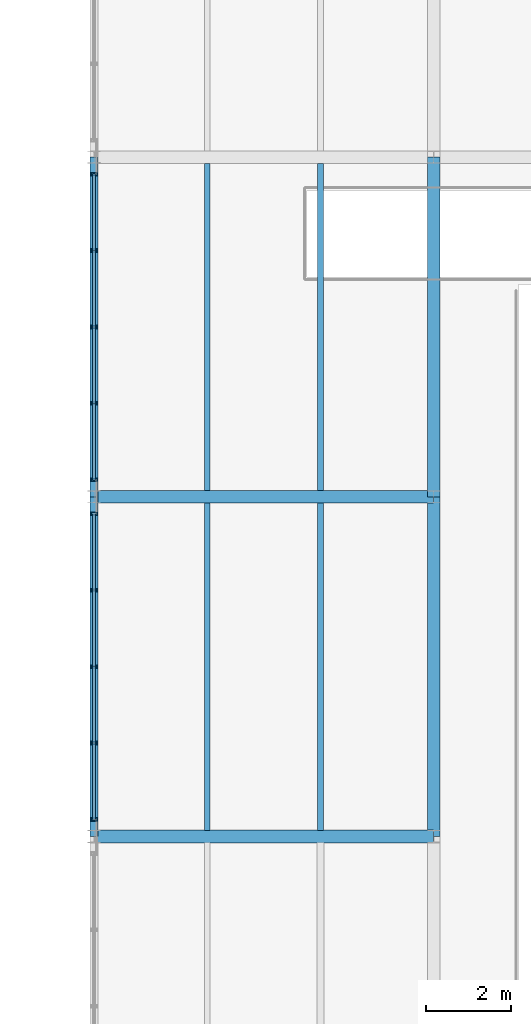
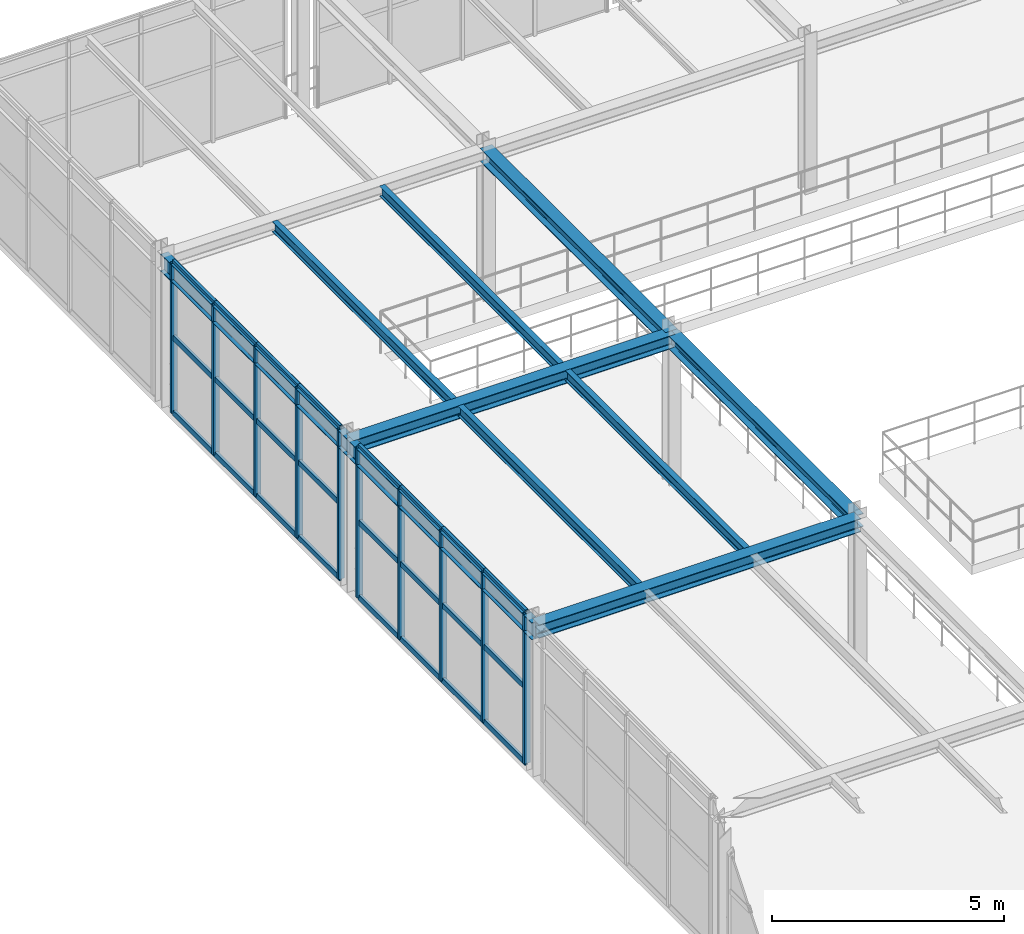
# One storey, part 38 of 124: 34 members, 10 beams, 2 elements without a shape of their own.
"""IFC4 building model written with IfcOpenShell, lengths in metres."""

from ifc_helpers import new_model, si_unit, direction, frame, origin, origin_2d, place, context, subcontext, project, spatial, hollow_rectangle, i_section, extrude, material, material_profile, profile_set, type_object, element, aggregate, save


model = new_model("IFC4")

# Units and contexts
model_context = context("Model", 3, precision=1e-05, world=origin(), true_north=direction((0.0, 1.0)))
body_context = subcontext(model_context, "Body", "Model", "MODEL_VIEW")
ifc_project = project(units=[si_unit("LENGTHUNIT", "METRE"), si_unit("AREAUNIT", "SQUARE_METRE"), si_unit("VOLUMEUNIT", "CUBIC_METRE"), si_unit("PLANEANGLEUNIT", "RADIAN"), si_unit("MASSUNIT", "GRAM", prefix="KILO")], contexts=[model_context])

# Site, building, storey
site_placement = place(None, origin())
site = spatial("IfcSite", under=ifc_project, at=site_placement, CompositionType="ELEMENT")
building_placement = place(site_placement, origin())
building = spatial("IfcBuilding", under=site, at=building_placement, Name="Sundkrona Museum", CompositionType="ELEMENT")
storey_placement = place(building_placement, frame((0.0, 0.0, 17.60009765625)))
storey = spatial("IfcBuildingStorey", under=building, at=storey_placement, Name="L03", CompositionType="ELEMENT", Elevation=17.60009765625)

# Beams
ifc_material_1 = material(Name="Steel S355J2", Category="steel")
ifc_material_profile_1 = material_profile(ifc_material_1, i_section(OverallWidth=0.300048828125, OverallDepth=0.35009765625, WebThickness=0.010009765625, FlangeThickness=0.017578125, FilletRadius=0.027099609375, at=origin_2d()), Name="HEA 360")
ifc_profile_set_1 = profile_set([ifc_material_profile_1], Name="Steel S355J2")
beam_type_1 = type_object("IfcBeamType", Name="B-HEA360", PredefinedType="BEAM", material=ifc_profile_set_1)
for number, where, z_axis, x_axis, name in (
    (1, (80.0, 16.0, 3.764892578125), (1.0, 0.0, 0.0), (0.0, 1.0, 0.0), "L03 Girder X-1430"),
    (2, (80.0, 24.0, 3.764892578125), (1.0, 0.0, 0.0), (0.0, 1.0, 0.0), "L03 Girder X-1438"),
    (3, (88.0, 16.0, 3.764892578125), (0.0, 1.0, 0.0), (-1.0, 0.0, 0.0), "L03 Girder Y-1610"),
    (4, (88.0, 24.0, 3.764892578125), (0.0, 1.0, 0.0), (-1.0, 0.0, 0.0), "L03 Girder Y-1611"),
):
    element("IfcBeam", number, at=place(storey_placement, frame(where, z_axis=z_axis, x_axis=x_axis)), inside=storey, type_object=beam_type_1, Name=name, PredefinedType="BEAM", context=body_context, shape_type="SweptSolid", body=[
        extrude(i_section(OverallWidth=0.300048828125, OverallDepth=0.35009765625, WebThickness=0.010009765625, FlangeThickness=0.017578125, FilletRadius=0.027099609375, at=origin_2d()), origin(), (0.0, 0.0, 1.0), 8.0),
    ])
ifc_material_profile_2 = material_profile(ifc_material_1, i_section(OverallWidth=0.135009765625, OverallDepth=0.27001953125, WebThickness=0.006591796875, FlangeThickness=0.01025390625, FilletRadius=0.014892578125, at=origin_2d()), Name="IPE 270")
ifc_profile_set_2 = profile_set([ifc_material_profile_2], Name="Steel S355J2")
beam_type_2 = type_object("IfcBeamType", Name="J-IPE270", PredefinedType="JOIST", material=ifc_profile_set_2)
for number, where, z_axis, x_axis, name in (
    (5, (82.666748046875, 16.14404296875, 3.804931640625), (0.0, 1.0, 0.0), (-1.0, 0.0, 0.0), "L03 Composite Joist 1046"),
    (6, (85.333251953125, 16.14404296875, 3.804931640625), (0.0, 1.0, 0.0), (-1.0, 0.0, 0.0), "L03 Composite Joist 1047"),
    (7, (82.666748046875, 24.14404296875, 3.804931640625), (0.0, 1.0, 0.0), (-1.0, 0.0, 0.0), "L03 Composite Joist 1048"),
    (8, (85.333251953125, 24.14404296875, 3.804931640625), (0.0, 1.0, 0.0), (-1.0, 0.0, 0.0), "L03 Composite Joist 1049"),
):
    element("IfcBeam", number, at=place(storey_placement, frame(where, z_axis=z_axis, x_axis=x_axis)), inside=storey, type_object=beam_type_2, Name=name, PredefinedType="JOIST", context=body_context, shape_type="SweptSolid", body=[
        extrude(i_section(OverallWidth=0.135009765625, OverallDepth=0.27001953125, WebThickness=0.006591796875, FlangeThickness=0.01025390625, FilletRadius=0.014892578125, at=origin_2d()), origin(), (0.0, 0.0, 1.0), 7.7119140625),
    ])

# Curtain wall, members
ifc_material_2 = material(Name="Unitised Aluminium-Steel and Ceramic-Clad Curtain Walling", Category="steel")
curtain_wall_type = type_object("IfcCurtainWallType", Name="CW-AT-72x38", PredefinedType="NOTDEFINED", material=ifc_material_2)
curtain_wall_1_placement = place(storey_placement, origin())
curtain_wall_1 = element("IfcCurtainWall", 9, at=curtain_wall_1_placement, inside=storey, type_object=curtain_wall_type, Name="L03 Curtain Wall CW-L03-067", PredefinedType="NOTDEFINED")
ifc_material_3 = material(Name="Aluminium EN AW-6060 T66", Category="aluminium")
ifc_material_profile_3 = material_profile(ifc_material_3, hollow_rectangle(XDim=0.074951171875, YDim=0.14990234375, WallThickness=0.00634765625, at=origin_2d()), Name="RHS 150x75x6.3")
ifc_profile_set_3 = profile_set([ifc_material_profile_3], Name="Aluminium EN AW-6060 T66")
member_type_1 = type_object("IfcMemberType", Name="ML-150", PredefinedType="MULLION", material=ifc_profile_set_3)
member_1_placement = place(storey_placement, frame((80.0, 16.39990234375, -0.004150390625), z_axis=(0.0, 0.0, 1.0), x_axis=(0.0, 1.0, 0.0)))
member_1 = element("IfcMember", 10, at=member_1_placement, type_object=member_type_1, Name="CW-L03-067 Mullion 01", PredefinedType="MULLION", context=body_context, shape_type="SweptSolid", body=[
    extrude(hollow_rectangle(XDim=0.074951171875, YDim=0.14990234375, WallThickness=0.00634765625, at=origin_2d()), origin(), (0.0, 0.0, 1.0), 3.947998046875),
])
member_2_placement = place(storey_placement, frame((80.0, 18.199951171875, -0.004150390625), z_axis=(0.0, 0.0, 1.0), x_axis=(0.0, 1.0, 0.0)))
member_2 = element("IfcMember", 11, at=member_2_placement, type_object=member_type_1, Name="CW-L03-067 Mullion 02", PredefinedType="MULLION", context=body_context, shape_type="SweptSolid", body=[
    extrude(hollow_rectangle(XDim=0.074951171875, YDim=0.14990234375, WallThickness=0.00634765625, at=origin_2d()), origin(), (0.0, 0.0, 1.0), 3.947998046875),
])
member_3_placement = place(storey_placement, frame((80.0, 20.0, -0.004150390625), z_axis=(0.0, 0.0, 1.0), x_axis=(0.0, 1.0, 0.0)))
member_3 = element("IfcMember", 12, at=member_3_placement, type_object=member_type_1, Name="CW-L03-067 Mullion 03", PredefinedType="MULLION", context=body_context, shape_type="SweptSolid", body=[
    extrude(hollow_rectangle(XDim=0.074951171875, YDim=0.14990234375, WallThickness=0.00634765625, at=origin_2d()), origin(), (0.0, 0.0, 1.0), 3.947998046875),
])
member_4_placement = place(storey_placement, frame((80.0, 21.800048828125, -0.004150390625), z_axis=(0.0, 0.0, 1.0), x_axis=(0.0, 1.0, 0.0)))
member_4 = element("IfcMember", 13, at=member_4_placement, type_object=member_type_1, Name="CW-L03-067 Mullion 04", PredefinedType="MULLION", context=body_context, shape_type="SweptSolid", body=[
    extrude(hollow_rectangle(XDim=0.074951171875, YDim=0.14990234375, WallThickness=0.00634765625, at=origin_2d()), origin(), (0.0, 0.0, 1.0), 3.947998046875),
])
member_5_placement = place(storey_placement, frame((80.0, 23.60009765625, -0.004150390625), z_axis=(0.0, 0.0, 1.0), x_axis=(0.0, 1.0, 0.0)))
member_5 = element("IfcMember", 14, at=member_5_placement, type_object=member_type_1, Name="CW-L03-067 Mullion 05", PredefinedType="MULLION", context=body_context, shape_type="SweptSolid", body=[
    extrude(hollow_rectangle(XDim=0.074951171875, YDim=0.14990234375, WallThickness=0.00634765625, at=origin_2d()), origin(), (0.0, 0.0, 1.0), 3.947998046875),
])

curtain_wall_2_placement = place(storey_placement, origin())
curtain_wall_2 = element("IfcCurtainWall", 15, at=curtain_wall_2_placement, inside=storey, type_object=curtain_wall_type, Name="L03 Curtain Wall CW-L03-068", PredefinedType="NOTDEFINED")
member_6_placement = place(storey_placement, frame((80.0, 24.39990234375, -0.004150390625), z_axis=(0.0, 0.0, 1.0), x_axis=(0.0, 1.0, 0.0)))
member_6 = element("IfcMember", 16, at=member_6_placement, type_object=member_type_1, Name="CW-L03-068 Mullion 01", PredefinedType="MULLION", context=body_context, shape_type="SweptSolid", body=[
    extrude(hollow_rectangle(XDim=0.074951171875, YDim=0.14990234375, WallThickness=0.00634765625, at=origin_2d()), origin(), (0.0, 0.0, 1.0), 3.947998046875),
])
member_7_placement = place(storey_placement, frame((80.0, 26.199951171875, -0.004150390625), z_axis=(0.0, 0.0, 1.0), x_axis=(0.0, 1.0, 0.0)))
member_7 = element("IfcMember", 17, at=member_7_placement, type_object=member_type_1, Name="CW-L03-068 Mullion 02", PredefinedType="MULLION", context=body_context, shape_type="SweptSolid", body=[
    extrude(hollow_rectangle(XDim=0.074951171875, YDim=0.14990234375, WallThickness=0.00634765625, at=origin_2d()), origin(), (0.0, 0.0, 1.0), 3.947998046875),
])
member_8_placement = place(storey_placement, frame((80.0, 28.0, -0.004150390625), z_axis=(0.0, 0.0, 1.0), x_axis=(0.0, 1.0, 0.0)))
member_8 = element("IfcMember", 18, at=member_8_placement, type_object=member_type_1, Name="CW-L03-068 Mullion 03", PredefinedType="MULLION", context=body_context, shape_type="SweptSolid", body=[
    extrude(hollow_rectangle(XDim=0.074951171875, YDim=0.14990234375, WallThickness=0.00634765625, at=origin_2d()), origin(), (0.0, 0.0, 1.0), 3.947998046875),
])
member_9_placement = place(storey_placement, frame((80.0, 29.800048828125, -0.004150390625), z_axis=(0.0, 0.0, 1.0), x_axis=(0.0, 1.0, 0.0)))
member_9 = element("IfcMember", 19, at=member_9_placement, type_object=member_type_1, Name="CW-L03-068 Mullion 04", PredefinedType="MULLION", context=body_context, shape_type="SweptSolid", body=[
    extrude(hollow_rectangle(XDim=0.074951171875, YDim=0.14990234375, WallThickness=0.00634765625, at=origin_2d()), origin(), (0.0, 0.0, 1.0), 3.947998046875),
])
member_10_placement = place(storey_placement, frame((80.0, 31.60009765625, -0.004150390625), z_axis=(0.0, 0.0, 1.0), x_axis=(0.0, 1.0, 0.0)))
member_10 = element("IfcMember", 20, at=member_10_placement, type_object=member_type_1, Name="CW-L03-068 Mullion 05", PredefinedType="MULLION", context=body_context, shape_type="SweptSolid", body=[
    extrude(hollow_rectangle(XDim=0.074951171875, YDim=0.14990234375, WallThickness=0.00634765625, at=origin_2d()), origin(), (0.0, 0.0, 1.0), 3.947998046875),
])

# Beams
ifc_material_profile_4 = material_profile(ifc_material_1, i_section(OverallWidth=0.18994140625, OverallDepth=0.449951171875, WebThickness=0.009521484375, FlangeThickness=0.0146484375, FilletRadius=0.02099609375, at=origin_2d()), Name="IPE 450")
ifc_profile_set_4 = profile_set([ifc_material_profile_4], Name="Steel S355J2")
beam_type_3 = type_object("IfcBeamType", Name="SP-IPE450", PredefinedType="SPANDREL", material=ifc_profile_set_4)
for number, where, z_axis, x_axis, name in (
    (21, (80.0, 16.0, 3.71484375), (0.0, 1.0, 0.0), (-1.0, 0.0, 0.0), "L03 Girder Y-1600"),
    (22, (80.0, 24.0, 3.71484375), (0.0, 1.0, 0.0), (-1.0, 0.0, 0.0), "L03 Girder Y-1601"),
):
    element("IfcBeam", number, at=place(storey_placement, frame(where, z_axis=z_axis, x_axis=x_axis)), inside=storey, type_object=beam_type_3, Name=name, PredefinedType="SPANDREL", context=body_context, shape_type="SweptSolid", body=[
        extrude(i_section(OverallWidth=0.18994140625, OverallDepth=0.449951171875, WebThickness=0.009521484375, FlangeThickness=0.0146484375, FilletRadius=0.02099609375, at=origin_2d()), origin(), (0.0, 0.0, 1.0), 8.0),
    ])

# Member
ifc_material_profile_5 = material_profile(ifc_material_3, hollow_rectangle(XDim=0.070068359375, YDim=0.139892578125, WallThickness=0.0048828125, at=origin_2d()), Name="RHS 140x70x5.0")
ifc_profile_set_5 = profile_set([ifc_material_profile_5], Name="Aluminium EN AW-6060 T66")
member_type_2 = type_object("IfcMemberType", Name="TR-140", PredefinedType="USERDEFINED", material=ifc_profile_set_5)
member_11_placement = place(storey_placement, frame((80.0, 16.39990234375, -0.004150390625), z_axis=(0.0, 1.0, 0.0), x_axis=(-1.0, 0.0, 0.0)))
member_11 = element("IfcMember", 23, at=member_11_placement, type_object=member_type_2, Name="CW-L03-067 Transom 01", ObjectType="TRANSOM", PredefinedType="USERDEFINED", context=body_context, shape_type="SweptSolid", body=[
    extrude(hollow_rectangle(XDim=0.070068359375, YDim=0.139892578125, WallThickness=0.0048828125, at=origin_2d()), origin(), (0.0, 0.0, 1.0), 1.800048828125),
])

member_12_placement = place(storey_placement, frame((80.0, 16.39990234375, 1.969970703125), z_axis=(0.0, 1.0, 0.0), x_axis=(-1.0, 0.0, 0.0)))
member_12 = element("IfcMember", 24, at=member_12_placement, type_object=member_type_2, Name="CW-L03-067 Transom 02", ObjectType="TRANSOM", PredefinedType="USERDEFINED", context=body_context, shape_type="SweptSolid", body=[
    extrude(hollow_rectangle(XDim=0.070068359375, YDim=0.139892578125, WallThickness=0.0048828125, at=origin_2d()), origin(), (0.0, 0.0, 1.0), 1.800048828125),
])

member_13_placement = place(storey_placement, frame((80.0, 16.39990234375, 3.94384765625), z_axis=(0.0, 1.0, 0.0), x_axis=(-1.0, 0.0, 0.0)))
member_13 = element("IfcMember", 25, at=member_13_placement, type_object=member_type_2, Name="CW-L03-067 Transom 03", ObjectType="TRANSOM", PredefinedType="USERDEFINED", context=body_context, shape_type="SweptSolid", body=[
    extrude(hollow_rectangle(XDim=0.070068359375, YDim=0.139892578125, WallThickness=0.0048828125, at=origin_2d()), origin(), (0.0, 0.0, 1.0), 1.800048828125),
])

member_14_placement = place(storey_placement, frame((80.0, 18.199951171875, -0.004150390625), z_axis=(0.0, 1.0, 0.0), x_axis=(-1.0, 0.0, 0.0)))
member_14 = element("IfcMember", 26, at=member_14_placement, type_object=member_type_2, Name="CW-L03-067 Transom 04", ObjectType="TRANSOM", PredefinedType="USERDEFINED", context=body_context, shape_type="SweptSolid", body=[
    extrude(hollow_rectangle(XDim=0.070068359375, YDim=0.139892578125, WallThickness=0.0048828125, at=origin_2d()), origin(), (0.0, 0.0, 1.0), 1.800048828125),
])

member_15_placement = place(storey_placement, frame((80.0, 18.199951171875, 1.969970703125), z_axis=(0.0, 1.0, 0.0), x_axis=(-1.0, 0.0, 0.0)))
member_15 = element("IfcMember", 27, at=member_15_placement, type_object=member_type_2, Name="CW-L03-067 Transom 05", ObjectType="TRANSOM", PredefinedType="USERDEFINED", context=body_context, shape_type="SweptSolid", body=[
    extrude(hollow_rectangle(XDim=0.070068359375, YDim=0.139892578125, WallThickness=0.0048828125, at=origin_2d()), origin(), (0.0, 0.0, 1.0), 1.800048828125),
])

member_16_placement = place(storey_placement, frame((80.0, 18.199951171875, 3.94384765625), z_axis=(0.0, 1.0, 0.0), x_axis=(-1.0, 0.0, 0.0)))
member_16 = element("IfcMember", 28, at=member_16_placement, type_object=member_type_2, Name="CW-L03-067 Transom 06", ObjectType="TRANSOM", PredefinedType="USERDEFINED", context=body_context, shape_type="SweptSolid", body=[
    extrude(hollow_rectangle(XDim=0.070068359375, YDim=0.139892578125, WallThickness=0.0048828125, at=origin_2d()), origin(), (0.0, 0.0, 1.0), 1.800048828125),
])

member_17_placement = place(storey_placement, frame((80.0, 20.0, -0.004150390625), z_axis=(0.0, 1.0, 0.0), x_axis=(-1.0, 0.0, 0.0)))
member_17 = element("IfcMember", 29, at=member_17_placement, type_object=member_type_2, Name="CW-L03-067 Transom 07", ObjectType="TRANSOM", PredefinedType="USERDEFINED", context=body_context, shape_type="SweptSolid", body=[
    extrude(hollow_rectangle(XDim=0.070068359375, YDim=0.139892578125, WallThickness=0.0048828125, at=origin_2d()), origin(), (0.0, 0.0, 1.0), 1.800048828125),
])

member_18_placement = place(storey_placement, frame((80.0, 20.0, 1.969970703125), z_axis=(0.0, 1.0, 0.0), x_axis=(-1.0, 0.0, 0.0)))
member_18 = element("IfcMember", 30, at=member_18_placement, type_object=member_type_2, Name="CW-L03-067 Transom 08", ObjectType="TRANSOM", PredefinedType="USERDEFINED", context=body_context, shape_type="SweptSolid", body=[
    extrude(hollow_rectangle(XDim=0.070068359375, YDim=0.139892578125, WallThickness=0.0048828125, at=origin_2d()), origin(), (0.0, 0.0, 1.0), 1.800048828125),
])

member_19_placement = place(storey_placement, frame((80.0, 20.0, 3.94384765625), z_axis=(0.0, 1.0, 0.0), x_axis=(-1.0, 0.0, 0.0)))
member_19 = element("IfcMember", 31, at=member_19_placement, type_object=member_type_2, Name="CW-L03-067 Transom 09", ObjectType="TRANSOM", PredefinedType="USERDEFINED", context=body_context, shape_type="SweptSolid", body=[
    extrude(hollow_rectangle(XDim=0.070068359375, YDim=0.139892578125, WallThickness=0.0048828125, at=origin_2d()), origin(), (0.0, 0.0, 1.0), 1.800048828125),
])

member_20_placement = place(storey_placement, frame((80.0, 21.800048828125, -0.004150390625), z_axis=(0.0, 1.0, 0.0), x_axis=(-1.0, 0.0, 0.0)))
member_20 = element("IfcMember", 32, at=member_20_placement, type_object=member_type_2, Name="CW-L03-067 Transom 10", ObjectType="TRANSOM", PredefinedType="USERDEFINED", context=body_context, shape_type="SweptSolid", body=[
    extrude(hollow_rectangle(XDim=0.070068359375, YDim=0.139892578125, WallThickness=0.0048828125, at=origin_2d()), origin(), (0.0, 0.0, 1.0), 1.800048828125),
])

member_21_placement = place(storey_placement, frame((80.0, 21.800048828125, 1.969970703125), z_axis=(0.0, 1.0, 0.0), x_axis=(-1.0, 0.0, 0.0)))
member_21 = element("IfcMember", 33, at=member_21_placement, type_object=member_type_2, Name="CW-L03-067 Transom 11", ObjectType="TRANSOM", PredefinedType="USERDEFINED", context=body_context, shape_type="SweptSolid", body=[
    extrude(hollow_rectangle(XDim=0.070068359375, YDim=0.139892578125, WallThickness=0.0048828125, at=origin_2d()), origin(), (0.0, 0.0, 1.0), 1.800048828125),
])

member_22_placement = place(storey_placement, frame((80.0, 21.800048828125, 3.94384765625), z_axis=(0.0, 1.0, 0.0), x_axis=(-1.0, 0.0, 0.0)))
member_22 = element("IfcMember", 34, at=member_22_placement, type_object=member_type_2, Name="CW-L03-067 Transom 12", ObjectType="TRANSOM", PredefinedType="USERDEFINED", context=body_context, shape_type="SweptSolid", body=[
    extrude(hollow_rectangle(XDim=0.070068359375, YDim=0.139892578125, WallThickness=0.0048828125, at=origin_2d()), origin(), (0.0, 0.0, 1.0), 1.800048828125),
])

aggregate(curtain_wall_1, [member_1, member_2, member_3, member_4, member_5, member_11, member_12, member_13, member_14, member_15, member_16, member_17, member_18, member_19, member_20, member_21, member_22])

member_23_placement = place(storey_placement, frame((80.0, 24.39990234375, -0.004150390625), z_axis=(0.0, 1.0, 0.0), x_axis=(-1.0, 0.0, 0.0)))
member_23 = element("IfcMember", 35, at=member_23_placement, type_object=member_type_2, Name="CW-L03-068 Transom 01", ObjectType="TRANSOM", PredefinedType="USERDEFINED", context=body_context, shape_type="SweptSolid", body=[
    extrude(hollow_rectangle(XDim=0.070068359375, YDim=0.139892578125, WallThickness=0.0048828125, at=origin_2d()), origin(), (0.0, 0.0, 1.0), 1.800048828125),
])

member_24_placement = place(storey_placement, frame((80.0, 24.39990234375, 1.969970703125), z_axis=(0.0, 1.0, 0.0), x_axis=(-1.0, 0.0, 0.0)))
member_24 = element("IfcMember", 36, at=member_24_placement, type_object=member_type_2, Name="CW-L03-068 Transom 02", ObjectType="TRANSOM", PredefinedType="USERDEFINED", context=body_context, shape_type="SweptSolid", body=[
    extrude(hollow_rectangle(XDim=0.070068359375, YDim=0.139892578125, WallThickness=0.0048828125, at=origin_2d()), origin(), (0.0, 0.0, 1.0), 1.800048828125),
])

member_25_placement = place(storey_placement, frame((80.0, 24.39990234375, 3.94384765625), z_axis=(0.0, 1.0, 0.0), x_axis=(-1.0, 0.0, 0.0)))
member_25 = element("IfcMember", 37, at=member_25_placement, type_object=member_type_2, Name="CW-L03-068 Transom 03", ObjectType="TRANSOM", PredefinedType="USERDEFINED", context=body_context, shape_type="SweptSolid", body=[
    extrude(hollow_rectangle(XDim=0.070068359375, YDim=0.139892578125, WallThickness=0.0048828125, at=origin_2d()), origin(), (0.0, 0.0, 1.0), 1.800048828125),
])

member_26_placement = place(storey_placement, frame((80.0, 26.199951171875, -0.004150390625), z_axis=(0.0, 1.0, 0.0), x_axis=(-1.0, 0.0, 0.0)))
member_26 = element("IfcMember", 38, at=member_26_placement, type_object=member_type_2, Name="CW-L03-068 Transom 04", ObjectType="TRANSOM", PredefinedType="USERDEFINED", context=body_context, shape_type="SweptSolid", body=[
    extrude(hollow_rectangle(XDim=0.070068359375, YDim=0.139892578125, WallThickness=0.0048828125, at=origin_2d()), origin(), (0.0, 0.0, 1.0), 1.800048828125),
])

member_27_placement = place(storey_placement, frame((80.0, 26.199951171875, 1.969970703125), z_axis=(0.0, 1.0, 0.0), x_axis=(-1.0, 0.0, 0.0)))
member_27 = element("IfcMember", 39, at=member_27_placement, type_object=member_type_2, Name="CW-L03-068 Transom 05", ObjectType="TRANSOM", PredefinedType="USERDEFINED", context=body_context, shape_type="SweptSolid", body=[
    extrude(hollow_rectangle(XDim=0.070068359375, YDim=0.139892578125, WallThickness=0.0048828125, at=origin_2d()), origin(), (0.0, 0.0, 1.0), 1.800048828125),
])

member_28_placement = place(storey_placement, frame((80.0, 26.199951171875, 3.94384765625), z_axis=(0.0, 1.0, 0.0), x_axis=(-1.0, 0.0, 0.0)))
member_28 = element("IfcMember", 40, at=member_28_placement, type_object=member_type_2, Name="CW-L03-068 Transom 06", ObjectType="TRANSOM", PredefinedType="USERDEFINED", context=body_context, shape_type="SweptSolid", body=[
    extrude(hollow_rectangle(XDim=0.070068359375, YDim=0.139892578125, WallThickness=0.0048828125, at=origin_2d()), origin(), (0.0, 0.0, 1.0), 1.800048828125),
])

member_29_placement = place(storey_placement, frame((80.0, 28.0, -0.004150390625), z_axis=(0.0, 1.0, 0.0), x_axis=(-1.0, 0.0, 0.0)))
member_29 = element("IfcMember", 41, at=member_29_placement, type_object=member_type_2, Name="CW-L03-068 Transom 07", ObjectType="TRANSOM", PredefinedType="USERDEFINED", context=body_context, shape_type="SweptSolid", body=[
    extrude(hollow_rectangle(XDim=0.070068359375, YDim=0.139892578125, WallThickness=0.0048828125, at=origin_2d()), origin(), (0.0, 0.0, 1.0), 1.800048828125),
])

member_30_placement = place(storey_placement, frame((80.0, 28.0, 1.969970703125), z_axis=(0.0, 1.0, 0.0), x_axis=(-1.0, 0.0, 0.0)))
member_30 = element("IfcMember", 42, at=member_30_placement, type_object=member_type_2, Name="CW-L03-068 Transom 08", ObjectType="TRANSOM", PredefinedType="USERDEFINED", context=body_context, shape_type="SweptSolid", body=[
    extrude(hollow_rectangle(XDim=0.070068359375, YDim=0.139892578125, WallThickness=0.0048828125, at=origin_2d()), origin(), (0.0, 0.0, 1.0), 1.800048828125),
])

member_31_placement = place(storey_placement, frame((80.0, 28.0, 3.94384765625), z_axis=(0.0, 1.0, 0.0), x_axis=(-1.0, 0.0, 0.0)))
member_31 = element("IfcMember", 43, at=member_31_placement, type_object=member_type_2, Name="CW-L03-068 Transom 09", ObjectType="TRANSOM", PredefinedType="USERDEFINED", context=body_context, shape_type="SweptSolid", body=[
    extrude(hollow_rectangle(XDim=0.070068359375, YDim=0.139892578125, WallThickness=0.0048828125, at=origin_2d()), origin(), (0.0, 0.0, 1.0), 1.800048828125),
])

member_32_placement = place(storey_placement, frame((80.0, 29.800048828125, -0.004150390625), z_axis=(0.0, 1.0, 0.0), x_axis=(-1.0, 0.0, 0.0)))
member_32 = element("IfcMember", 44, at=member_32_placement, type_object=member_type_2, Name="CW-L03-068 Transom 10", ObjectType="TRANSOM", PredefinedType="USERDEFINED", context=body_context, shape_type="SweptSolid", body=[
    extrude(hollow_rectangle(XDim=0.070068359375, YDim=0.139892578125, WallThickness=0.0048828125, at=origin_2d()), origin(), (0.0, 0.0, 1.0), 1.800048828125),
])

member_33_placement = place(storey_placement, frame((80.0, 29.800048828125, 1.969970703125), z_axis=(0.0, 1.0, 0.0), x_axis=(-1.0, 0.0, 0.0)))
member_33 = element("IfcMember", 45, at=member_33_placement, type_object=member_type_2, Name="CW-L03-068 Transom 11", ObjectType="TRANSOM", PredefinedType="USERDEFINED", context=body_context, shape_type="SweptSolid", body=[
    extrude(hollow_rectangle(XDim=0.070068359375, YDim=0.139892578125, WallThickness=0.0048828125, at=origin_2d()), origin(), (0.0, 0.0, 1.0), 1.800048828125),
])

member_34_placement = place(storey_placement, frame((80.0, 29.800048828125, 3.94384765625), z_axis=(0.0, 1.0, 0.0), x_axis=(-1.0, 0.0, 0.0)))
member_34 = element("IfcMember", 46, at=member_34_placement, type_object=member_type_2, Name="CW-L03-068 Transom 12", ObjectType="TRANSOM", PredefinedType="USERDEFINED", context=body_context, shape_type="SweptSolid", body=[
    extrude(hollow_rectangle(XDim=0.070068359375, YDim=0.139892578125, WallThickness=0.0048828125, at=origin_2d()), origin(), (0.0, 0.0, 1.0), 1.800048828125),
])

aggregate(curtain_wall_2, [member_6, member_7, member_8, member_9, member_10, member_23, member_24, member_25, member_26, member_27, member_28, member_29, member_30, member_31, member_32, member_33, member_34])

save(model, "model.ifc")
